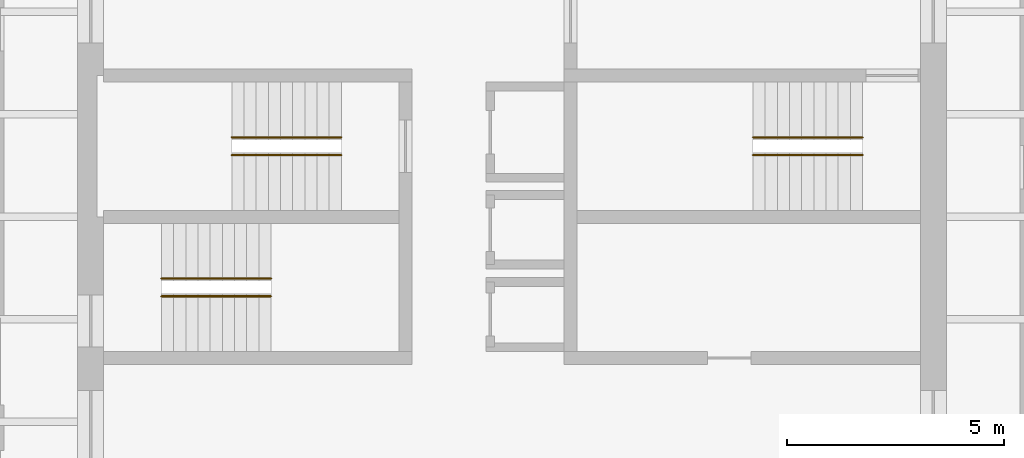
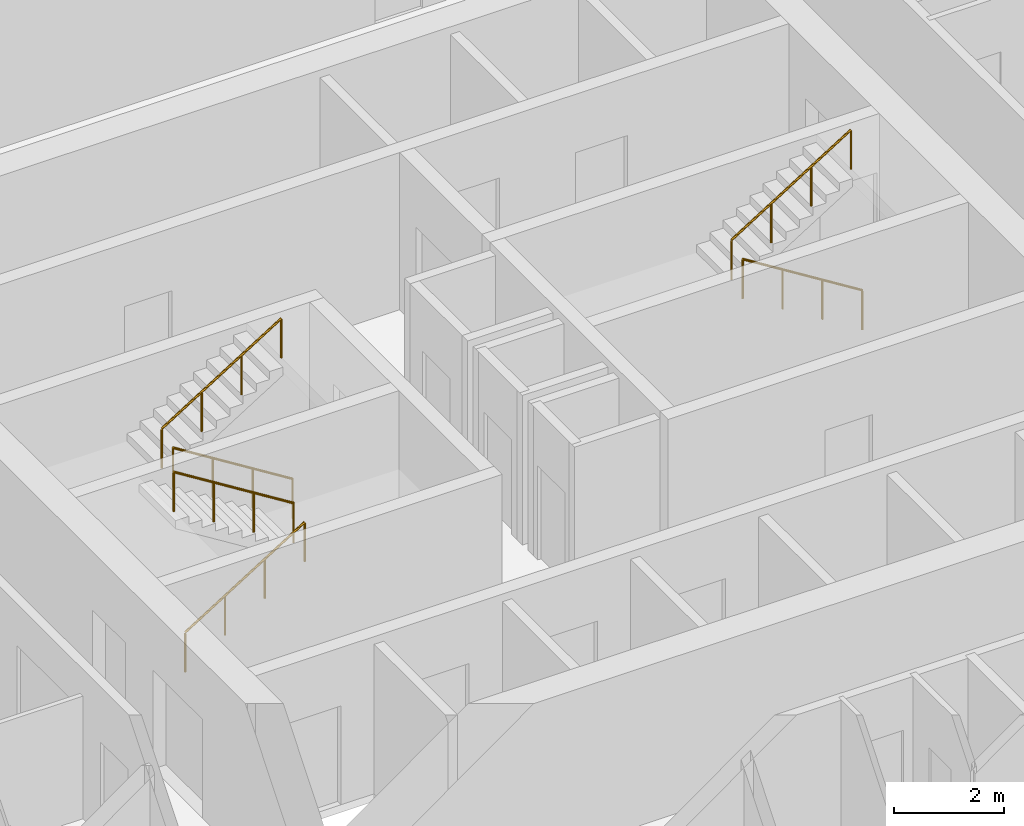
# One storey, part 8 of 8: 6 railings.
"""IFC4 building model written with IfcOpenShell, lengths in metres."""

from ifc_helpers import new_model, si_unit, direction, frame, origin, origin_2d, place, context, subcontext, project, spatial, circle, extrude, material, type_object, element, save


model = new_model("IFC4")

# Units and contexts
model_context = context("Model", 3, precision=1e-05, world=origin(), true_north=direction((0.0, 1.0)))
body_context = subcontext(model_context, "Body", "Model", "MODEL_VIEW")
ifc_project = project(units=[si_unit("LENGTHUNIT", "METRE"), si_unit("AREAUNIT", "SQUARE_METRE"), si_unit("VOLUMEUNIT", "CUBIC_METRE"), si_unit("PLANEANGLEUNIT", "RADIAN"), si_unit("MASSUNIT", "GRAM", prefix="KILO")], contexts=[model_context])

# Site, building, storey
site_placement = place(None, origin())
site = spatial("IfcSite", under=ifc_project, at=site_placement, CompositionType="ELEMENT")
building_placement = place(site_placement, origin())
building = spatial("IfcBuilding", under=site, at=building_placement, Name="Turquesa Mirador Hotel Tower", CompositionType="ELEMENT")
storey_placement = place(building_placement, frame((0.0, 0.0, 165.300048828125)))
storey = spatial("IfcBuildingStorey", under=building, at=storey_placement, Name="L44", CompositionType="ELEMENT", Elevation=165.300048828125)

# Railings
ifc_material = material(Name="Painted steel handrail", Category="steel")
railing_type = type_object("IfcRailingType", Name="HANDRAIL 900 STEEL", PredefinedType="HANDRAIL", material=ifc_material)
railing_1_placement = place(storey_placement, frame((51.070068359375, 46.419921875, 0.175048828125)))
element("IfcRailing", 1, at=railing_1_placement, inside=storey, type_object=railing_type, Name="Handrail ST1", PredefinedType="HANDRAIL", context=body_context, shape_type="SweptSolid", body=[
    extrude(circle(Radius=0.02392578125, at=origin_2d()), frame((0.0, 0.0, 0.8759765625), z_axis=(-0.848007534815, 0.0, 0.529984170421), x_axis=(0.0, -1.0, 0.0)), (0.0, 0.0, 1.0), 2.9716796875),
    extrude(circle(Radius=0.02099609375, at=origin_2d()), origin(), (0.0, 0.0, 1.0), 0.851806640625),
    extrude(circle(Radius=0.02099609375, at=origin_2d()), frame((-0.840087890625, 0.0, 0.52490234375)), (0.0, 0.0, 1.0), 0.851806640625),
    extrude(circle(Radius=0.02099609375, at=origin_2d()), frame((-1.679931640625, 0.0, 1.050048828125)), (0.0, 0.0, 1.0), 0.851806640625),
    extrude(circle(Radius=0.02099609375, at=origin_2d()), frame((-2.52001953125, 0.0, 1.574951171875)), (0.0, 0.0, 1.0), 0.851806640625),
])
for number, where, name in (
    (2, (48.550048828125, 46.830078125, 1.925048828125), "Handrail ST1"),
    (3, (46.929931640625, 43.169921875, 0.175048828125), "Handrail ST2"),
):
    element("IfcRailing", number, at=place(storey_placement, frame(where)), inside=storey, type_object=railing_type, Name=name, PredefinedType="HANDRAIL", context=body_context, shape_type="SweptSolid", body=[
        extrude(circle(Radius=0.02392578125, at=origin_2d()), frame((0.0, 0.0, 0.8759765625), z_axis=(0.848007534815, 0.0, 0.529984170421), x_axis=(0.0, 1.0, 0.0)), (0.0, 0.0, 1.0), 2.9716796875),
        extrude(circle(Radius=0.02099609375, at=origin_2d()), origin(), (0.0, 0.0, 1.0), 0.851806640625),
        extrude(circle(Radius=0.02099609375, at=origin_2d()), frame((0.840087890625, 0.0, 0.52490234375)), (0.0, 0.0, 1.0), 0.851806640625),
        extrude(circle(Radius=0.02099609375, at=origin_2d()), frame((1.679931640625, 0.0, 1.050048828125)), (0.0, 0.0, 1.0), 0.851806640625),
        extrude(circle(Radius=0.02099609375, at=origin_2d()), frame((2.52001953125, 0.0, 1.574951171875)), (0.0, 0.0, 1.0), 0.851806640625),
    ])
for number, where, name in (
    (4, (49.449951171875, 43.580078125, 1.925048828125), "Handrail ST2"),
    (5, (63.070068359375, 46.419921875, 0.175048828125), "Handrail ST3"),
):
    element("IfcRailing", number, at=place(storey_placement, frame(where)), inside=storey, type_object=railing_type, Name=name, PredefinedType="HANDRAIL", context=body_context, shape_type="SweptSolid", body=[
        extrude(circle(Radius=0.02392578125, at=origin_2d()), frame((0.0, 0.0, 0.8759765625), z_axis=(-0.848007534815, 0.0, 0.529984170421), x_axis=(0.0, -1.0, 0.0)), (0.0, 0.0, 1.0), 2.9716796875),
        extrude(circle(Radius=0.02099609375, at=origin_2d()), origin(), (0.0, 0.0, 1.0), 0.851806640625),
        extrude(circle(Radius=0.02099609375, at=origin_2d()), frame((-0.840087890625, 0.0, 0.52490234375)), (0.0, 0.0, 1.0), 0.851806640625),
        extrude(circle(Radius=0.02099609375, at=origin_2d()), frame((-1.679931640625, 0.0, 1.050048828125)), (0.0, 0.0, 1.0), 0.851806640625),
        extrude(circle(Radius=0.02099609375, at=origin_2d()), frame((-2.52001953125, 0.0, 1.574951171875)), (0.0, 0.0, 1.0), 0.851806640625),
    ])
railing_2_placement = place(storey_placement, frame((60.550048828125, 46.830078125, 1.925048828125)))
element("IfcRailing", 6, at=railing_2_placement, inside=storey, type_object=railing_type, Name="Handrail ST3", PredefinedType="HANDRAIL", context=body_context, shape_type="SweptSolid", body=[
    extrude(circle(Radius=0.02392578125, at=origin_2d()), frame((0.0, 0.0, 0.8759765625), z_axis=(0.848007534815, 0.0, 0.529984170421), x_axis=(0.0, 1.0, 0.0)), (0.0, 0.0, 1.0), 2.9716796875),
    extrude(circle(Radius=0.02099609375, at=origin_2d()), origin(), (0.0, 0.0, 1.0), 0.851806640625),
    extrude(circle(Radius=0.02099609375, at=origin_2d()), frame((0.840087890625, 0.0, 0.52490234375)), (0.0, 0.0, 1.0), 0.851806640625),
    extrude(circle(Radius=0.02099609375, at=origin_2d()), frame((1.679931640625, 0.0, 1.050048828125)), (0.0, 0.0, 1.0), 0.851806640625),
    extrude(circle(Radius=0.02099609375, at=origin_2d()), frame((2.52001953125, 0.0, 1.574951171875)), (0.0, 0.0, 1.0), 0.851806640625),
])

save(model, "model.ifc")
